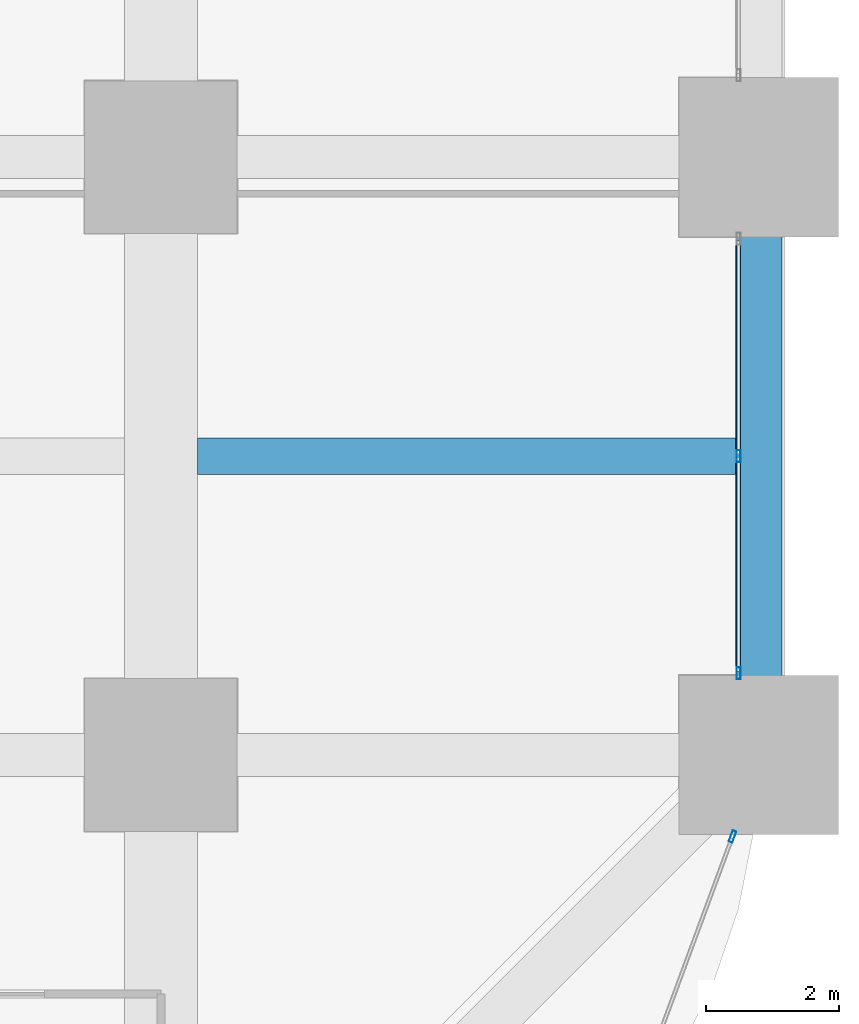
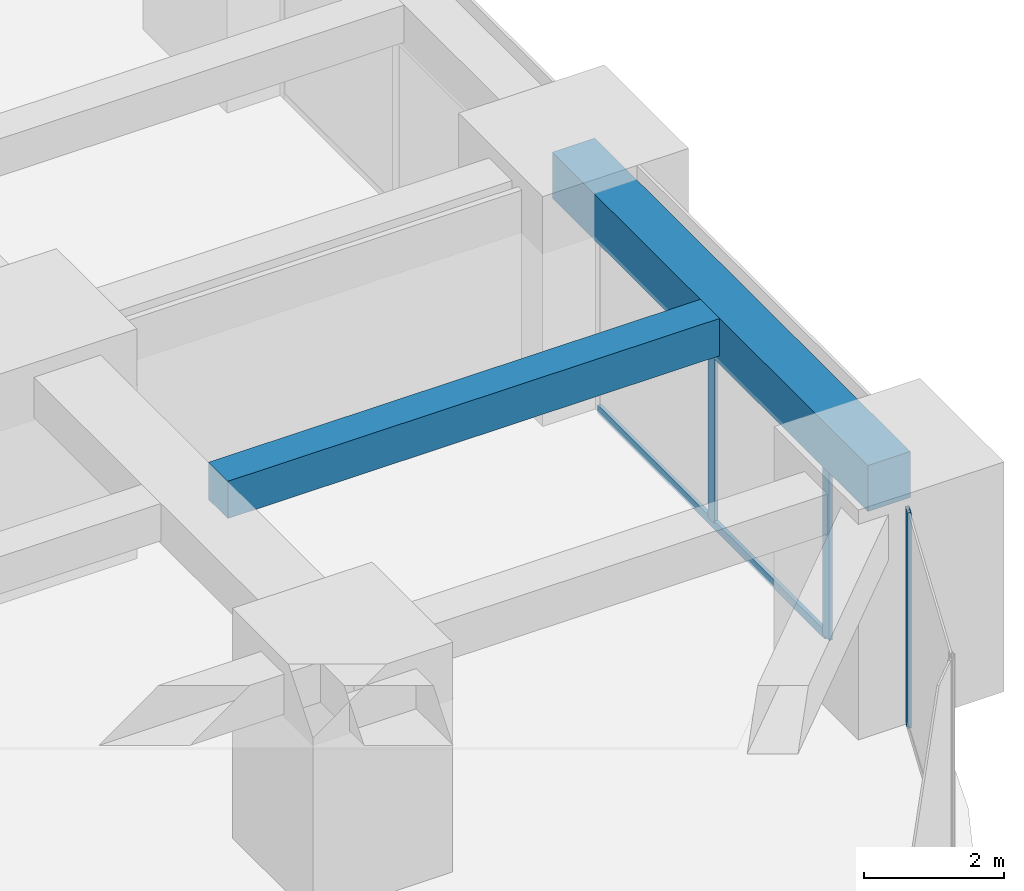
# One storey, part 18 of 44: 4 members, 2 beams, 2 elements without a shape of their own.
"""IFC4 building model written with IfcOpenShell, lengths in metres."""

from ifc_helpers import new_model, si_unit, direction, frame, origin, origin_2d, place, context, subcontext, project, spatial, rectangle, hollow_rectangle, extrude, material, material_profile, profile_set, type_object, element, aggregate, save


model = new_model("IFC4")

# Units and contexts
model_context = context("Model", 3, precision=1e-05, world=origin(), true_north=direction((0.0, 1.0)))
body_context = subcontext(model_context, "Body", "Model", "MODEL_VIEW")
ifc_project = project(units=[si_unit("LENGTHUNIT", "METRE"), si_unit("AREAUNIT", "SQUARE_METRE"), si_unit("VOLUMEUNIT", "CUBIC_METRE"), si_unit("PLANEANGLEUNIT", "RADIAN"), si_unit("MASSUNIT", "GRAM", prefix="KILO")], contexts=[model_context])

# Site, building, storey
site_placement = place(None, origin())
site = spatial("IfcSite", under=ifc_project, at=site_placement, CompositionType="ELEMENT")
building_placement = place(site_placement, origin())
building = spatial("IfcBuilding", under=site, at=building_placement, Name="Zorevar Civic Tower", CompositionType="ELEMENT")
storey_placement = place(building_placement, frame((0.0, 0.0, 43.800048828125)))
storey = spatial("IfcBuildingStorey", under=building, at=storey_placement, Name="L10", CompositionType="ELEMENT", Elevation=43.800048828125)

# Beam
ifc_material_1 = material(Name="Concrete C50/60", Category="concrete")
ifc_material_profile_1 = material_profile(ifc_material_1, rectangle(XDim=0.550048828125, YDim=0.64990234375, at=origin_2d()), Name="RC 550x650")
ifc_profile_set_1 = profile_set([ifc_material_profile_1], Name="Concrete C50/60")
beam_type_1 = type_object("IfcBeamType", Name="Beam RC 550x650", PredefinedType="BEAM", material=ifc_profile_set_1)
beam_1_placement = place(storey_placement, frame((54.550048828125, 13.5, 3.425048828125), z_axis=(1.0, 0.0, 0.0), x_axis=(0.0, 1.0, 0.0)))
element("IfcBeam", 1, at=beam_1_placement, inside=storey, type_object=beam_type_1, Name="Secondary beam L11", PredefinedType="BEAM", context=body_context, shape_type="SweptSolid", body=[
    extrude(rectangle(XDim=0.550048828125, YDim=0.64990234375, at=origin_2d()), origin(), (0.0, 0.0, 1.0), 8.099853515625),
])

# Curtain wall, members
ifc_material_2 = material(Name="Dark grey solar-control glass in black aluminium frame", Category="aluminium")
curtain_wall_type = type_object("IfcCurtainWallType", Name="Curtain wall CW2 low zone", PredefinedType="NOTDEFINED", material=ifc_material_2)
curtain_wall_1_placement = place(storey_placement, origin())
curtain_wall_1 = element("IfcCurtainWall", 2, at=curtain_wall_1_placement, inside=storey, type_object=curtain_wall_type, Name="CW2 L10", PredefinedType="NOTDEFINED")
ifc_material_3 = material(Name="Aluminium, black anodised", Category="aluminium")
ifc_material_profile_2 = material_profile(ifc_material_3, hollow_rectangle(XDim=0.06005859375, YDim=0.179931640625, WallThickness=0.00390625, at=origin_2d()), Name="AL 180x60x4")
ifc_profile_set_2 = profile_set([ifc_material_profile_2], Name="Aluminium, black anodised")
member_type_1 = type_object("IfcMemberType", Name="CW2 mullion AL 180x60x4", PredefinedType="MULLION", material=ifc_profile_set_2)
member_1_placement = place(storey_placement, frame((62.699951171875, 10.22998046875, 0.0), z_axis=(0.0, 0.0, 1.0), x_axis=(-1.0, 0.0, 0.0)))
member_1 = element("IfcMember", 3, at=member_1_placement, type_object=member_type_1, Name="CW2 mullion 1", PredefinedType="MULLION", context=body_context, shape_type="SweptSolid", body=[
    extrude(hollow_rectangle(XDim=0.06005859375, YDim=0.179931640625, WallThickness=0.00390625, at=origin_2d()), origin(), (0.0, 0.0, 1.0), 2.949951171875),
])
member_2_placement = place(storey_placement, frame((62.699951171875, 13.5, 0.06005859375), z_axis=(0.0, 0.0, 1.0), x_axis=(-1.0, 0.0, 0.0)))
member_2 = element("IfcMember", 4, at=member_2_placement, type_object=member_type_1, Name="CW2 mullion 2", PredefinedType="MULLION", context=body_context, shape_type="SweptSolid", body=[
    extrude(hollow_rectangle(XDim=0.06005859375, YDim=0.179931640625, WallThickness=0.00390625, at=origin_2d()), origin(), (0.0, 0.0, 1.0), 2.889892578125),
])

# Curtain wall, member
curtain_wall_2_placement = place(storey_placement, origin())
curtain_wall_2 = element("IfcCurtainWall", 5, at=curtain_wall_2_placement, inside=storey, type_object=curtain_wall_type, Name="CW2 L10", PredefinedType="NOTDEFINED")
member_3_placement = place(storey_placement, frame((62.6064453125, 7.77197265625, 0.0), z_axis=(0.0, 0.0, 1.0), x_axis=(-0.937974588163, 0.346704012033, 0.0)))
member_3 = element("IfcMember", 6, at=member_3_placement, type_object=member_type_1, Name="CW2 mullion 2", PredefinedType="MULLION", context=body_context, shape_type="SweptSolid", body=[
    extrude(hollow_rectangle(XDim=0.06005859375, YDim=0.179931640625, WallThickness=0.00390625, at=origin_2d()), origin(), (0.0, 0.0, 1.0), 3.75),
])
aggregate(curtain_wall_2, [member_3])

# Member
ifc_material_4 = material(Name="Aluminium, black anodised", Category="aluminium")
ifc_material_profile_3 = material_profile(ifc_material_4, hollow_rectangle(XDim=0.06005859375, YDim=0.14990234375, WallThickness=0.00390625, at=origin_2d()), Name="AL 150x60x4")
ifc_profile_set_3 = profile_set([ifc_material_profile_3], Name="Aluminium, black anodised")
member_type_2 = type_object("IfcMemberType", Name="CW2 transom AL 150x60x4", PredefinedType="USERDEFINED", material=ifc_profile_set_3)
member_4_placement = place(storey_placement, frame((62.699951171875, 10.260009765625, 0.030029296875), z_axis=(0.0, 1.0, 0.0), x_axis=(-1.0, 0.0, 0.0)))
member_4 = element("IfcMember", 7, at=member_4_placement, type_object=member_type_2, Name="CW2 sill transom", ObjectType="TRANSOM", PredefinedType="USERDEFINED", context=body_context, shape_type="SweptSolid", body=[
    extrude(hollow_rectangle(XDim=0.06005859375, YDim=0.14990234375, WallThickness=0.00390625, at=origin_2d()), origin(), (0.0, 0.0, 1.0), 6.47998046875),
])

aggregate(curtain_wall_1, [member_1, member_2, member_4])

# Beam
ifc_material_5 = material(Name="Concrete C50/60", Category="concrete")
ifc_material_profile_4 = material_profile(ifc_material_5, rectangle(XDim=0.699951171875, YDim=0.800048828125, at=origin_2d()), Name="RC 700x800")
ifc_profile_set_4 = profile_set([ifc_material_profile_4], Name="Concrete C50/60")
beam_type_2 = type_object("IfcBeamType", Name="Edge beam RC 700x800", PredefinedType="SPANDREL", material=ifc_profile_set_4)
beam_2_placement = place(storey_placement, frame((63.0, 9.0, 3.349853515625), z_axis=(0.0, 1.0, 0.0), x_axis=(-1.0, 0.0, 0.0)))
element("IfcBeam", 8, at=beam_2_placement, inside=storey, type_object=beam_type_2, Name="Edge beam L11", PredefinedType="SPANDREL", context=body_context, shape_type="SweptSolid", body=[
    extrude(rectangle(XDim=0.699951171875, YDim=0.800048828125, at=origin_2d()), origin(), (0.0, 0.0, 1.0), 9.0),
])

save(model, "model.ifc")
